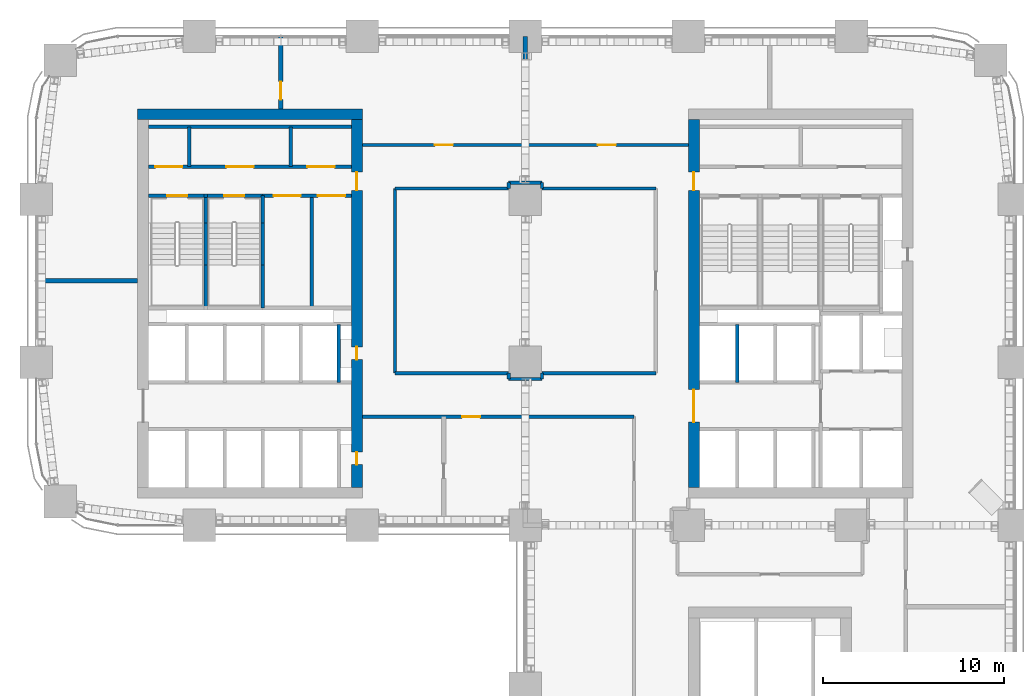
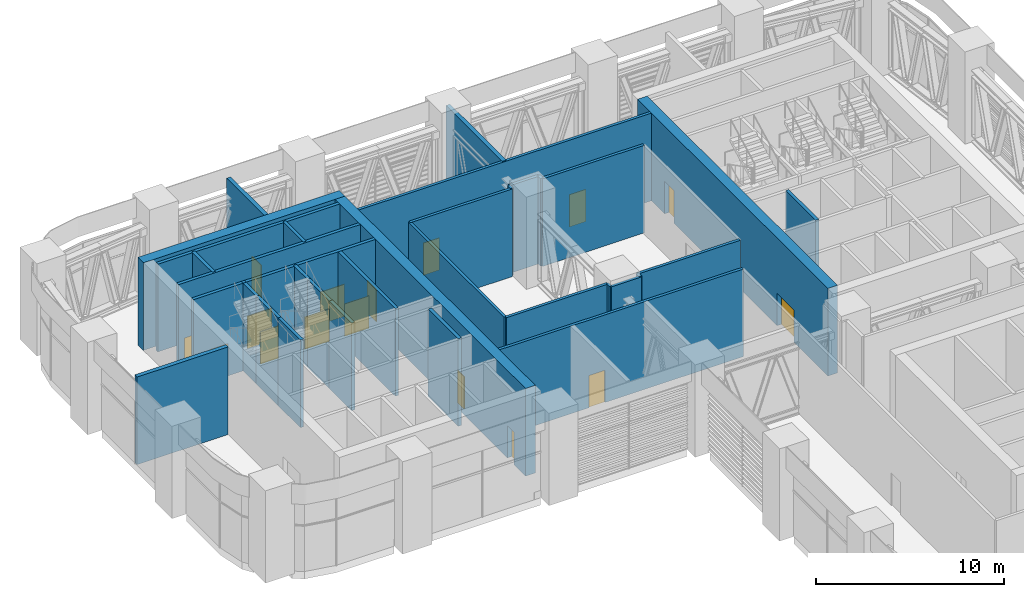
# One storey, part 17 of 24: 36 walls, 16 doors, 16 openings.
"""IFC4 building model written with IfcOpenShell, lengths in metres."""

from ifc_helpers import new_model, si_unit, direction, frame, frame_2d, origin, place, context, subcontext, project, spatial, rectangle, extrude, material, layer, layer_set, type_object, element, fill, save


model = new_model("IFC4")

# Units and contexts
model_context = context("Model", 3, precision=1e-05, world=origin(), true_north=direction((0.0, 1.0)))
body_context = subcontext(model_context, "Body", "Model", "MODEL_VIEW")
ifc_project = project(units=[si_unit("LENGTHUNIT", "METRE"), si_unit("AREAUNIT", "SQUARE_METRE"), si_unit("VOLUMEUNIT", "CUBIC_METRE"), si_unit("PLANEANGLEUNIT", "RADIAN"), si_unit("MASSUNIT", "GRAM", prefix="KILO")], contexts=[model_context])

# Site, building, storey
site_placement = place(None, origin())
site = spatial("IfcSite", under=ifc_project, at=site_placement, CompositionType="ELEMENT")
building_placement = place(site_placement, origin())
building = spatial("IfcBuilding", under=site, at=building_placement, Name="Tessera Arch", CompositionType="ELEMENT")
storey_placement = place(building_placement, frame((0.0, 0.0, 123.39990234375)))
storey = spatial("IfcBuildingStorey", under=building, at=storey_placement, Name="L29", CompositionType="ELEMENT", Elevation=123.39990234375)

# Walls
ifc_material_1 = material(Name="Gypsum board on steel stud", Category="steel")
ifc_layer_1 = layer(ifc_material_1, 0.125)
ifc_layer_set_1 = layer_set([ifc_layer_1], Name="Core partition 125 EI 60")
wall_type_1 = type_object("IfcWallType", Name="Core partition 125 EI 60", PredefinedType="PARTITIONING", material=ifc_layer_set_1)
for number, where, z_axis, x_axis, name in (
    (1, (8.43994140625, 46.800048828125, 0.0), (0.0, 0.0, 1.0), (0.0, 1.0, 0.0), "L29 C2 partition wall 3"),
    (2, (14.0400390625, 46.800048828125, 0.0), (0.0, 0.0, 1.0), (0.0, 1.0, 0.0), "L29 C2 partition wall 14"),
):
    element("IfcWall", number, at=place(storey_placement, frame(where, z_axis=z_axis, x_axis=x_axis)), inside=storey, type_object=wall_type_1, Name=name, PredefinedType="PARTITIONING", context=body_context, shape_type="SweptSolid", body=[
        extrude(rectangle(XDim=2.199951171875, YDim=0.199951171875, at=frame_2d((1.10009765625, 0.0))), origin(), (0.0, 0.0, 1.0), 5.7001953125),
    ])
wall_1_placement = place(storey_placement, frame((15.195068359375, 39.0, 0.0), z_axis=(0.0, 0.0, 1.0), x_axis=(0.0, 1.0, 0.0)))
element("IfcWall", 3, at=wall_1_placement, inside=storey, type_object=wall_type_1, Name="L29 C2 partition wall 17", PredefinedType="PARTITIONING", context=body_context, shape_type="SweptSolid", body=[
    extrude(rectangle(XDim=6.199951171875, YDim=0.199951171875, at=frame_2d((3.10009765625, 0.0))), origin(), (0.0, 0.0, 1.0), 5.7001953125),
])

# Wall, openings, doors
wall_2_placement = place(storey_placement, frame((12.5, 45.199951171875, 0.0), z_axis=(0.0, 0.0, 1.0), x_axis=(1.0, 0.0, 0.0)))
wall_2 = element("IfcWall", 4, at=wall_2_placement, inside=storey, type_object=wall_type_1, Name="L29 C2 partition wall 27", PredefinedType="PARTITIONING", context=body_context, shape_type="SweptSolid", body=[
    extrude(rectangle(XDim=4.89990234375, YDim=0.199951171875, at=frame_2d((2.449951171875, 0.0))), origin(), (0.0, 0.0, 1.0), 5.7001953125),
])
opening_1_placement = place(wall_2_placement, frame((0.597412109375, 0.0, 0.0)))
opening_1 = element("IfcOpeningElement", 5, at=opening_1_placement, cuts=wall_2, Name="Opening L29-C23", PredefinedType="OPENING", context=body_context, shape_type="SweptSolid", body=[
    extrude(rectangle(XDim=1.5, YDim=2.10009765625, at=frame_2d((0.75, 1.050048828125))), frame((0.0, 0.10986328125, 0.0), z_axis=(0.0, -1.0, 0.0), x_axis=(1.0, 0.0, 0.0)), (0.0, 0.0, 1.0), 0.219970703125),
])
opening_2_placement = place(wall_2_placement, frame((3.047607421875, 0.0, 0.0)))
opening_2 = element("IfcOpeningElement", 6, at=opening_2_placement, cuts=wall_2, Name="Opening L29-C24", PredefinedType="OPENING", context=body_context, shape_type="SweptSolid", body=[
    extrude(rectangle(XDim=1.5, YDim=2.10009765625, at=frame_2d((0.75, 1.050048828125))), frame((0.0, 0.10986328125, 0.0), z_axis=(0.0, -1.0, 0.0), x_axis=(1.0, 0.0, 0.0)), (0.0, 0.0, 1.0), 0.219970703125),
])
ifc_material_2 = material(Name="Steel door leaf", Category="steel")
door_type_1 = type_object("IfcDoorType", Name="Plant door FD60 1500 x 2100", OperationType="DOUBLE_DOOR_SINGLE_SWING", PredefinedType="DOOR", material=ifc_material_2)
door_1_placement = place(opening_1_placement, origin())
door_1 = element("IfcDoor", 7, at=door_1_placement, inside=storey, type_object=door_type_1, Name="L29 C2 door 10 C23 type D08", OperationType="DOUBLE_DOOR_SINGLE_SWING", OverallHeight=2.10009765625, OverallWidth=1.5, PredefinedType="DOOR", context=body_context, shape_type="SweptSolid", body=[
    extrude(rectangle(XDim=1.5, YDim=2.10009765625, at=frame_2d((0.75, 1.050048828125))), frame((0.0, 0.02490234375, 0.0), z_axis=(0.0, -1.0, 0.0), x_axis=(1.0, 0.0, 0.0)), (0.0, 0.0, 1.0), 0.050048828125),
])
fill(opening_1, door_1)
door_2_placement = place(opening_2_placement, origin())
door_2 = element("IfcDoor", 8, at=door_2_placement, inside=storey, type_object=door_type_1, Name="L29 C2 door 11 C24 type D08", OperationType="DOUBLE_DOOR_SINGLE_SWING", OverallHeight=2.10009765625, OverallWidth=1.5, PredefinedType="DOOR", context=body_context, shape_type="SweptSolid", body=[
    extrude(rectangle(XDim=1.5, YDim=2.10009765625, at=frame_2d((0.75, 1.050048828125))), frame((0.0, 0.02490234375, 0.0), z_axis=(0.0, -1.0, 0.0), x_axis=(1.0, 0.0, 0.0)), (0.0, 0.0, 1.0), 0.050048828125),
])
fill(opening_2, door_2)

wall_3_placement = place(storey_placement, frame((6.199951171875, 46.800048828125, 0.0), z_axis=(0.0, 0.0, 1.0), x_axis=(1.0, 0.0, 0.0)))
wall_3 = element("IfcWall", 9, at=wall_3_placement, inside=storey, type_object=wall_type_1, Name="L29 C2 partition wall 31", PredefinedType="PARTITIONING", context=body_context, shape_type="SweptSolid", body=[
    extrude(rectangle(XDim=11.199951171875, YDim=0.199951171875, at=frame_2d((5.60009765625, 0.0))), origin(), (0.0, 0.0, 1.0), 5.7001953125),
])
opening_3_placement = place(wall_3_placement, frame((0.3701171875, 0.0, 0.0)))
opening_3 = element("IfcOpeningElement", 10, at=opening_3_placement, cuts=wall_3, Name="Opening L29-C20", PredefinedType="OPENING", context=body_context, shape_type="SweptSolid", body=[
    extrude(rectangle(XDim=1.5, YDim=2.10009765625, at=frame_2d((0.75, 1.050048828125))), frame((0.0, 0.10986328125, 0.0), z_axis=(0.0, -1.0, 0.0), x_axis=(1.0, 0.0, 0.0)), (0.0, 0.0, 1.0), 0.219970703125),
])
opening_4_placement = place(wall_3_placement, frame((4.2900390625, 0.0, 0.0)))
opening_4 = element("IfcOpeningElement", 11, at=opening_4_placement, cuts=wall_3, Name="Opening L29-C21", PredefinedType="OPENING", context=body_context, shape_type="SweptSolid", body=[
    extrude(rectangle(XDim=1.5, YDim=2.10009765625, at=frame_2d((0.75, 1.050048828125))), frame((0.0, 0.10986328125, 0.0), z_axis=(0.0, -1.0, 0.0), x_axis=(1.0, 0.0, 0.0)), (0.0, 0.0, 1.0), 0.219970703125),
])
opening_5_placement = place(wall_3_placement, frame((8.77001953125, 0.0, 0.0)))
opening_5 = element("IfcOpeningElement", 12, at=opening_5_placement, cuts=wall_3, Name="Opening L29-C22", PredefinedType="OPENING", context=body_context, shape_type="SweptSolid", body=[
    extrude(rectangle(XDim=1.5, YDim=2.10009765625, at=frame_2d((0.75, 1.050048828125))), frame((0.0, 0.10986328125, 0.0), z_axis=(0.0, -1.0, 0.0), x_axis=(1.0, 0.0, 0.0)), (0.0, 0.0, 1.0), 0.219970703125),
])
door_3_placement = place(opening_3_placement, origin())
door_3 = element("IfcDoor", 13, at=door_3_placement, inside=storey, type_object=door_type_1, Name="L29 C2 door 7 C20 type D08", OperationType="DOUBLE_DOOR_SINGLE_SWING", OverallHeight=2.10009765625, OverallWidth=1.5, PredefinedType="DOOR", context=body_context, shape_type="SweptSolid", body=[
    extrude(rectangle(XDim=1.5, YDim=2.10009765625, at=frame_2d((0.75, 1.050048828125))), frame((0.0, 0.02490234375, 0.0), z_axis=(0.0, -1.0, 0.0), x_axis=(1.0, 0.0, 0.0)), (0.0, 0.0, 1.0), 0.050048828125),
])
fill(opening_3, door_3)
door_4_placement = place(opening_4_placement, origin())
door_4 = element("IfcDoor", 14, at=door_4_placement, inside=storey, type_object=door_type_1, Name="L29 C2 door 8 C21 type D08", OperationType="DOUBLE_DOOR_SINGLE_SWING", OverallHeight=2.10009765625, OverallWidth=1.5, PredefinedType="DOOR", context=body_context, shape_type="SweptSolid", body=[
    extrude(rectangle(XDim=1.5, YDim=2.10009765625, at=frame_2d((0.75, 1.050048828125))), frame((0.0, 0.02490234375, 0.0), z_axis=(0.0, -1.0, 0.0), x_axis=(1.0, 0.0, 0.0)), (0.0, 0.0, 1.0), 0.050048828125),
])
fill(opening_4, door_4)
door_5_placement = place(opening_5_placement, origin())
door_5 = element("IfcDoor", 15, at=door_5_placement, inside=storey, type_object=door_type_1, Name="L29 C2 door 9 C22 type D08", OperationType="DOUBLE_DOOR_SINGLE_SWING", OverallHeight=2.10009765625, OverallWidth=1.5, PredefinedType="DOOR", context=body_context, shape_type="SweptSolid", body=[
    extrude(rectangle(XDim=1.5, YDim=2.10009765625, at=frame_2d((0.75, 1.050048828125))), frame((0.0, 0.02490234375, 0.0), z_axis=(0.0, -1.0, 0.0), x_axis=(1.0, 0.0, 0.0)), (0.0, 0.0, 1.0), 0.050048828125),
])
fill(opening_5, door_5)

# Wall
wall_4_placement = place(storey_placement, frame((6.199951171875, 49.0, 0.0), z_axis=(0.0, 0.0, 1.0), x_axis=(1.0, 0.0, 0.0)))
element("IfcWall", 16, at=wall_4_placement, inside=storey, type_object=wall_type_1, Name="L29 C2 partition wall 32", PredefinedType="PARTITIONING", context=body_context, shape_type="SweptSolid", body=[
    extrude(rectangle(XDim=11.199951171875, YDim=0.199951171875, at=frame_2d((5.60009765625, 0.0))), origin(), (0.0, 0.0, 1.0), 5.7001953125),
])

# Wall, openings, doors
ifc_material_3 = material(Name="Concrete C70/85", Category="concrete")
ifc_layer_2 = layer(ifc_material_3, 0.60009765625)
ifc_layer_set_2 = layer_set([ifc_layer_2], Name="Core shell wall 600 C70-85")
wall_type_2 = type_object("IfcWallType", Name="Core shell wall 600 C70-85", PredefinedType="SHEAR", material=ifc_layer_set_2)
wall_5_placement = place(storey_placement, frame((36.300048828125, 29.10009765625, 0.0), z_axis=(0.0, 0.0, 1.0), x_axis=(0.0, 1.0, 0.0)))
wall_5 = element("IfcWall", 17, at=wall_5_placement, inside=storey, type_object=wall_type_2, Name="L29 C1 core wall W", PredefinedType="SHEAR", context=body_context, shape_type="SweptSolid", body=[
    extrude(rectangle(XDim=20.2998046875, YDim=0.60009765625, at=frame_2d((10.14990234375, 0.0))), origin(), (0.0, 0.0, 1.0), 5.7001953125),
])
opening_6_placement = place(wall_5_placement, frame((3.60009765625, 0.0, 0.0)))
opening_6 = element("IfcOpeningElement", 18, at=opening_6_placement, cuts=wall_5, Name="Opening L29-C04", PredefinedType="OPENING", context=body_context, shape_type="SweptSolid", body=[
    extrude(rectangle(XDim=1.800048828125, YDim=2.10009765625, at=frame_2d((0.89990234375, 1.050048828125))), frame((0.0, 0.31005859375, 0.0), z_axis=(0.0, -1.0, 0.0), x_axis=(1.0, 0.0, 0.0)), (0.0, 0.0, 1.0), 0.6201171875),
])
opening_7_placement = place(wall_5_placement, frame((16.39990234375, 0.0, 0.0)))
opening_7 = element("IfcOpeningElement", 19, at=opening_7_placement, cuts=wall_5, Name="Opening L29-C11", PredefinedType="OPENING", context=body_context, shape_type="SweptSolid", body=[
    extrude(rectangle(XDim=1.0, YDim=2.10009765625, at=frame_2d((0.5, 1.050048828125))), frame((0.0, 0.31005859375, 0.0), z_axis=(0.0, -1.0, 0.0), x_axis=(1.0, 0.0, 0.0)), (0.0, 0.0, 1.0), 0.6201171875),
])
ifc_material_4 = material(Name="Steel door leaf", Category="steel")
door_type_2 = type_object("IfcDoorType", Name="Corridor door FD60 1000 x 2100", OperationType="SINGLE_SWING_LEFT", PredefinedType="DOOR", material=ifc_material_4)
door_6_placement = place(opening_7_placement, origin())
door_6 = element("IfcDoor", 20, at=door_6_placement, inside=storey, type_object=door_type_2, Name="L29 C1 door 11 C11 type D12", OperationType="SINGLE_SWING_RIGHT", OverallHeight=2.10009765625, OverallWidth=1.0, PredefinedType="DOOR", context=body_context, shape_type="SweptSolid", body=[
    extrude(rectangle(XDim=1.0, YDim=2.10009765625, at=frame_2d((0.5, 1.050048828125))), frame((0.0, 0.02490234375, 0.0), z_axis=(0.0, -1.0, 0.0), x_axis=(1.0, 0.0, 0.0)), (0.0, 0.0, 1.0), 0.050048828125),
])
fill(opening_7, door_6)
ifc_material_5 = material(Name="Glazed steel door leaf", Category="steel")
door_type_3 = type_object("IfcDoorType", Name="Lobby double door FD60 1800 x 2100", OperationType="DOUBLE_DOOR_SINGLE_SWING", PredefinedType="DOOR", material=ifc_material_5)
door_7_placement = place(opening_6_placement, origin())
door_7 = element("IfcDoor", 21, at=door_7_placement, inside=storey, type_object=door_type_3, Name="L29 C1 door 4 C04 type D19", OperationType="DOUBLE_DOOR_SINGLE_SWING", OverallHeight=2.10009765625, OverallWidth=1.800048828125, PredefinedType="DOOR", context=body_context, shape_type="SweptSolid", body=[
    extrude(rectangle(XDim=1.800048828125, YDim=2.10009765625, at=frame_2d((0.89990234375, 1.050048828125))), frame((0.0, 0.02490234375, 0.0), z_axis=(0.0, -1.0, 0.0), x_axis=(1.0, 0.0, 0.0)), (0.0, 0.0, 1.0), 0.050048828125),
])
fill(opening_6, door_7)

# Wall
wall_6_placement = place(storey_placement, frame((5.60009765625, 49.699951171875, 0.0), z_axis=(0.0, 0.0, 1.0), x_axis=(1.0, 0.0, 0.0)))
element("IfcWall", 22, at=wall_6_placement, inside=storey, type_object=wall_type_2, Name="L29 C2 core wall N", PredefinedType="SHEAR", context=body_context, shape_type="SweptSolid", body=[
    extrude(rectangle(XDim=12.39990234375, YDim=0.60009765625, at=frame_2d((6.199951171875, 0.0))), origin(), (0.0, 0.0, 1.0), 5.7001953125),
])

# Wall, openings, doors
wall_7_placement = place(storey_placement, frame((17.699951171875, 29.10009765625, 0.0), z_axis=(0.0, 0.0, 1.0), x_axis=(0.0, 1.0, 0.0)))
wall_7 = element("IfcWall", 23, at=wall_7_placement, inside=storey, type_object=wall_type_2, Name="L29 C2 core wall E", PredefinedType="SHEAR", context=body_context, shape_type="SweptSolid", body=[
    extrude(rectangle(XDim=20.2998046875, YDim=0.60009765625, at=frame_2d((10.14990234375, 0.0))), origin(), (0.0, 0.0, 1.0), 5.7001953125),
])
opening_8_placement = place(wall_7_placement, frame((1.25, 0.0, 0.0)))
opening_8 = element("IfcOpeningElement", 24, at=opening_8_placement, cuts=wall_7, Name="Opening L29-C14", PredefinedType="OPENING", context=body_context, shape_type="SweptSolid", body=[
    extrude(rectangle(XDim=0.699951171875, YDim=2.10009765625, at=frame_2d((0.35009765625, 1.050048828125))), frame((0.0, 0.31005859375, 0.0), z_axis=(0.0, -1.0, 0.0), x_axis=(1.0, 0.0, 0.0)), (0.0, 0.0, 1.0), 0.6201171875),
])
opening_9_placement = place(wall_7_placement, frame((7.050048828125, 0.0, 0.0)))
opening_9 = element("IfcOpeningElement", 25, at=opening_9_placement, cuts=wall_7, Name="Opening L29-C15", PredefinedType="OPENING", context=body_context, shape_type="SweptSolid", body=[
    extrude(rectangle(XDim=0.699951171875, YDim=2.10009765625, at=frame_2d((0.35009765625, 1.050048828125))), frame((0.0, 0.31005859375, 0.0), z_axis=(0.0, -1.0, 0.0), x_axis=(1.0, 0.0, 0.0)), (0.0, 0.0, 1.0), 0.6201171875),
])
opening_10_placement = place(wall_7_placement, frame((16.39990234375, 0.0, 0.0)))
opening_10 = element("IfcOpeningElement", 26, at=opening_10_placement, cuts=wall_7, Name="Opening L29-C19", PredefinedType="OPENING", context=body_context, shape_type="SweptSolid", body=[
    extrude(rectangle(XDim=1.0, YDim=2.10009765625, at=frame_2d((0.5, 1.050048828125))), frame((0.0, 0.31005859375, 0.0), z_axis=(0.0, -1.0, 0.0), x_axis=(1.0, 0.0, 0.0)), (0.0, 0.0, 1.0), 0.6201171875),
])
door_8_placement = place(opening_10_placement, origin())
door_8 = element("IfcDoor", 27, at=door_8_placement, inside=storey, type_object=door_type_2, Name="L29 C2 door 6 C19 type D12", OperationType="SINGLE_SWING_RIGHT", OverallHeight=2.10009765625, OverallWidth=1.0, PredefinedType="DOOR", context=body_context, shape_type="SweptSolid", body=[
    extrude(rectangle(XDim=1.0, YDim=2.10009765625, at=frame_2d((0.5, 1.050048828125))), frame((0.0, 0.02490234375, 0.0), z_axis=(0.0, -1.0, 0.0), x_axis=(1.0, 0.0, 0.0)), (0.0, 0.0, 1.0), 0.050048828125),
])
fill(opening_10, door_8)
ifc_material_6 = material(Name="Steel door leaf", Category="steel")
door_type_4 = type_object("IfcDoorType", Name="Service shaft door FD60 700 x 2100", OperationType="SINGLE_SWING_LEFT", PredefinedType="DOOR", material=ifc_material_6)
door_9_placement = place(opening_8_placement, origin())
door_9 = element("IfcDoor", 28, at=door_9_placement, inside=storey, type_object=door_type_4, Name="L29 C2 door 1 C14 type D07", OperationType="SINGLE_SWING_LEFT", OverallHeight=2.10009765625, OverallWidth=0.699951171875, PredefinedType="DOOR", context=body_context, shape_type="SweptSolid", body=[
    extrude(rectangle(XDim=0.699951171875, YDim=2.10009765625, at=frame_2d((0.35009765625, 1.050048828125))), frame((0.0, 0.02490234375, 0.0), z_axis=(0.0, -1.0, 0.0), x_axis=(1.0, 0.0, 0.0)), (0.0, 0.0, 1.0), 0.050048828125),
])
fill(opening_8, door_9)
door_10_placement = place(opening_9_placement, origin())
door_10 = element("IfcDoor", 29, at=door_10_placement, inside=storey, type_object=door_type_4, Name="L29 C2 door 2 C15 type D07", OperationType="SINGLE_SWING_LEFT", OverallHeight=2.10009765625, OverallWidth=0.699951171875, PredefinedType="DOOR", context=body_context, shape_type="SweptSolid", body=[
    extrude(rectangle(XDim=0.699951171875, YDim=2.10009765625, at=frame_2d((0.35009765625, 1.050048828125))), frame((0.0, 0.02490234375, 0.0), z_axis=(0.0, -1.0, 0.0), x_axis=(1.0, 0.0, 0.0)), (0.0, 0.0, 1.0), 0.050048828125),
])
fill(opening_9, door_10)

# Wall, opening, door
ifc_material_7 = material(Name="Gypsum board on deep steel stud with mineral wool", Category="steel")
ifc_layer_3 = layer(ifc_material_7, 0.175048828125)
ifc_layer_set_3 = layer_set([ifc_layer_3], Name="Corridor wall 175 EI 60")
wall_type_3 = type_object("IfcWallType", Name="Corridor wall 175 EI 60", PredefinedType="PARTITIONING", material=ifc_layer_set_3)
wall_8_placement = place(storey_placement, frame((18.0, 33.0, 0.0), z_axis=(0.0, 0.0, 1.0), x_axis=(1.0, 0.0, 0.0)))
wall_8 = element("IfcWall", 30, at=wall_8_placement, inside=storey, type_object=wall_type_3, Name="L29 partition 6", PredefinedType="PARTITIONING", context=body_context, shape_type="SweptSolid", body=[
    extrude(rectangle(XDim=15.0, YDim=0.175048828125, at=frame_2d((7.5, 0.0))), origin(), (0.0, 0.0, 1.0), 5.7001953125),
])
opening_11_placement = place(wall_8_placement, frame((5.5, 0.0, 0.0)))
opening_11 = element("IfcOpeningElement", 31, at=opening_11_placement, cuts=wall_8, Name="Opening L29-D002", PredefinedType="OPENING", context=body_context, shape_type="SweptSolid", body=[
    extrude(rectangle(XDim=1.0, YDim=2.10009765625, at=frame_2d((0.5, 1.050048828125))), frame((0.0, 0.097412109375, 0.0), z_axis=(0.0, -1.0, 0.0), x_axis=(1.0, 0.0, 0.0)), (0.0, 0.0, 1.0), 0.195068359375),
])
ifc_material_8 = material(Name="Fire-rated door leaf")
door_type_5 = type_object("IfcDoorType", Name="Entrance door FD60 1000 x 2100", OperationType="SINGLE_SWING_LEFT", PredefinedType="DOOR", material=ifc_material_8)
door_11_placement = place(opening_11_placement, origin())
door_11 = element("IfcDoor", 32, at=door_11_placement, inside=storey, type_object=door_type_5, Name="L29 door D002 type D16", OperationType="SINGLE_SWING_LEFT", OverallHeight=2.10009765625, OverallWidth=1.0, PredefinedType="DOOR", context=body_context, shape_type="SweptSolid", body=[
    extrude(rectangle(XDim=1.0, YDim=2.10009765625, at=frame_2d((0.5, 1.050048828125))), frame((0.0, 0.02490234375, 0.0), z_axis=(0.0, -1.0, 0.0), x_axis=(1.0, 0.0, 0.0)), (0.0, 0.0, 1.0), 0.050048828125),
])
fill(opening_11, door_11)

# Walls
wall_9_placement = place(storey_placement, frame((26.080078125, 35.080078125, 0.0), z_axis=(0.0, 0.0, 1.0), x_axis=(1.0, 0.0, 0.0)))
element("IfcWall", 33, at=wall_9_placement, inside=storey, type_object=wall_type_3, Name="L29 partition 7", PredefinedType="PARTITIONING", context=body_context, shape_type="SweptSolid", body=[
    extrude(rectangle(XDim=1.83984375, YDim=0.175048828125, at=frame_2d((0.919921875, 0.0))), origin(), (0.0, 0.0, 1.0), 5.7001953125),
])
for number, where, z_axis, x_axis, name in (
    (34, (19.800048828125, 35.39990234375, 0.0), (0.0, 0.0, 1.0), (1.0, 0.0, 0.0), "L29 partition 8"),
    (35, (27.919921875, 35.39990234375, 0.0), (0.0, 0.0, 1.0), (1.0, 0.0, 0.0), "L29 partition 9"),
    (36, (19.800048828125, 45.60009765625, 0.0), (0.0, 0.0, 1.0), (1.0, 0.0, 0.0), "L29 partition 10"),
    (37, (27.919921875, 45.60009765625, 0.0), (0.0, 0.0, 1.0), (1.0, 0.0, 0.0), "L29 partition 11"),
):
    element("IfcWall", number, at=place(storey_placement, frame(where, z_axis=z_axis, x_axis=x_axis)), inside=storey, type_object=wall_type_3, Name=name, PredefinedType="PARTITIONING", context=body_context, shape_type="SweptSolid", body=[
        extrude(rectangle(XDim=6.280029296875, YDim=0.175048828125, at=frame_2d((3.14013671875, 0.0))), origin(), (0.0, 0.0, 1.0), 5.7001953125),
    ])
wall_10_placement = place(storey_placement, frame((26.080078125, 45.919921875, 0.0), z_axis=(0.0, 0.0, 1.0), x_axis=(1.0, 0.0, 0.0)))
element("IfcWall", 38, at=wall_10_placement, inside=storey, type_object=wall_type_3, Name="L29 partition 12", PredefinedType="PARTITIONING", context=body_context, shape_type="SweptSolid", body=[
    extrude(rectangle(XDim=1.83984375, YDim=0.175048828125, at=frame_2d((0.919921875, 0.0))), origin(), (0.0, 0.0, 1.0), 5.7001953125),
])

# Wall, openings, doors
wall_11_placement = place(storey_placement, frame((18.0, 48.0, 0.0), z_axis=(0.0, 0.0, 1.0), x_axis=(1.0, 0.0, 0.0)))
wall_11 = element("IfcWall", 39, at=wall_11_placement, inside=storey, type_object=wall_type_3, Name="L29 partition 13", PredefinedType="PARTITIONING", context=body_context, shape_type="SweptSolid", body=[
    extrude(rectangle(XDim=18.0, YDim=0.175048828125, at=frame_2d((9.0, 0.0))), origin(), (0.0, 0.0, 1.0), 5.7001953125),
])
opening_12_placement = place(wall_11_placement, frame((4.0, 0.0, 0.0)))
opening_12 = element("IfcOpeningElement", 40, at=opening_12_placement, cuts=wall_11, Name="Opening L29-D001", PredefinedType="OPENING", context=body_context, shape_type="SweptSolid", body=[
    extrude(rectangle(XDim=1.0, YDim=2.10009765625, at=frame_2d((0.5, 1.050048828125))), frame((0.0, 0.097412109375, 0.0), z_axis=(0.0, -1.0, 0.0), x_axis=(1.0, 0.0, 0.0)), (0.0, 0.0, 1.0), 0.195068359375),
])
opening_13_placement = place(wall_11_placement, frame((13.0, 0.0, 0.0)))
opening_13 = element("IfcOpeningElement", 41, at=opening_13_placement, cuts=wall_11, Name="Opening L29-D005", PredefinedType="OPENING", context=body_context, shape_type="SweptSolid", body=[
    extrude(rectangle(XDim=1.0, YDim=2.10009765625, at=frame_2d((0.5, 1.050048828125))), frame((0.0, 0.097412109375, 0.0), z_axis=(0.0, -1.0, 0.0), x_axis=(1.0, 0.0, 0.0)), (0.0, 0.0, 1.0), 0.195068359375),
])
door_12_placement = place(opening_12_placement, origin())
door_12 = element("IfcDoor", 42, at=door_12_placement, inside=storey, type_object=door_type_5, Name="L29 door D001 type D16", OperationType="SINGLE_SWING_RIGHT", OverallHeight=2.10009765625, OverallWidth=1.0, PredefinedType="DOOR", context=body_context, shape_type="SweptSolid", body=[
    extrude(rectangle(XDim=1.0, YDim=2.10009765625, at=frame_2d((0.5, 1.050048828125))), frame((0.0, 0.02490234375, 0.0), z_axis=(0.0, -1.0, 0.0), x_axis=(1.0, 0.0, 0.0)), (0.0, 0.0, 1.0), 0.050048828125),
])
fill(opening_12, door_12)
door_13_placement = place(opening_13_placement, origin())
door_13 = element("IfcDoor", 43, at=door_13_placement, inside=storey, type_object=door_type_5, Name="L29 door D005 type D16", OperationType="SINGLE_SWING_RIGHT", OverallHeight=2.10009765625, OverallWidth=1.0, PredefinedType="DOOR", context=body_context, shape_type="SweptSolid", body=[
    extrude(rectangle(XDim=1.0, YDim=2.10009765625, at=frame_2d((0.5, 1.050048828125))), frame((0.0, 0.02490234375, 0.0), z_axis=(0.0, -1.0, 0.0), x_axis=(1.0, 0.0, 0.0)), (0.0, 0.0, 1.0), 0.050048828125),
])
fill(opening_13, door_13)

# Walls
wall_12_placement = place(storey_placement, frame((19.800048828125, 35.39990234375, 0.0), z_axis=(0.0, 0.0, 1.0), x_axis=(0.0, 1.0, 0.0)))
element("IfcWall", 44, at=wall_12_placement, inside=storey, type_object=wall_type_3, Name="L29 partition 14", PredefinedType="PARTITIONING", context=body_context, shape_type="SweptSolid", body=[
    extrude(rectangle(XDim=10.2001953125, YDim=0.175048828125, at=frame_2d((5.10009765625, 0.0))), origin(), (0.0, 0.0, 1.0), 5.7001953125),
])
for number, where, z_axis, x_axis, name in (
    (45, (26.080078125, 35.080078125, 0.0), (0.0, 0.0, 1.0), (0.0, 1.0, 0.0), "L29 partition 15"),
    (46, (26.080078125, 45.60009765625, 0.0), (0.0, 0.0, 1.0), (0.0, 1.0, 0.0), "L29 partition 16"),
    (47, (27.919921875, 35.080078125, 0.0), (0.0, 0.0, 1.0), (0.0, 1.0, 0.0), "L29 partition 17"),
    (48, (27.919921875, 45.60009765625, 0.0), (0.0, 0.0, 1.0), (0.0, 1.0, 0.0), "L29 partition 18"),
):
    element("IfcWall", number, at=place(storey_placement, frame(where, z_axis=z_axis, x_axis=x_axis)), inside=storey, type_object=wall_type_3, Name=name, PredefinedType="PARTITIONING", context=body_context, shape_type="SweptSolid", body=[
        extrude(rectangle(XDim=0.31982421875, YDim=0.175048828125, at=frame_2d((0.159912109375, 0.0))), origin(), (0.0, 0.0, 1.0), 5.7001953125),
    ])
ifc_material_9 = material(Name="Double gypsum board on twin steel stud with acoustic mineral wool", Category="steel")
ifc_layer_4 = layer(ifc_material_9, 0.25)
ifc_layer_set_4 = layer_set([ifc_layer_4], Name="Party wall 250 EI 60")
wall_type_4 = type_object("IfcWallType", Name="Party wall 250 EI 60", PredefinedType="PARTITIONING", material=ifc_layer_set_4)
wall_13_placement = place(storey_placement, frame((0.0, 40.5, 0.0), z_axis=(0.0, 0.0, 1.0), x_axis=(1.0, 0.0, 0.0)))
element("IfcWall", 49, at=wall_13_placement, inside=storey, type_object=wall_type_4, Name="L29 partition 30", PredefinedType="PARTITIONING", context=body_context, shape_type="SweptSolid", body=[
    extrude(rectangle(XDim=5.60009765625, YDim=0.25, at=frame_2d((2.800048828125, 0.0))), origin(), (0.0, 0.0, 1.0), 5.7001953125),
])

# Wall, opening, door
wall_14_placement = place(storey_placement, frame((13.5, 50.0, 0.0), z_axis=(0.0, 0.0, 1.0), x_axis=(0.0, 1.0, 0.0)))
wall_14 = element("IfcWall", 50, at=wall_14_placement, inside=storey, type_object=wall_type_4, Name="L29 partition 31", PredefinedType="PARTITIONING", context=body_context, shape_type="SweptSolid", body=[
    extrude(rectangle(XDim=4.0, YDim=0.25, at=frame_2d((2.0, 0.0))), origin(), (0.0, 0.0, 1.0), 5.7001953125),
])
opening_14_placement = place(wall_14_placement, frame((0.5, 0.0, 0.0)))
opening_14 = element("IfcOpeningElement", 51, at=opening_14_placement, cuts=wall_14, Name="Opening L29-D011", PredefinedType="OPENING", context=body_context, shape_type="SweptSolid", body=[
    extrude(rectangle(XDim=1.0, YDim=2.10009765625, at=frame_2d((0.5, 1.050048828125))), frame((0.0, 0.135009765625, 0.0), z_axis=(0.0, -1.0, 0.0), x_axis=(1.0, 0.0, 0.0)), (0.0, 0.0, 1.0), 0.27001953125),
])
door_14_placement = place(opening_14_placement, origin())
door_14 = element("IfcDoor", 52, at=door_14_placement, inside=storey, type_object=door_type_5, Name="L29 door D011 type D16", OperationType="SINGLE_SWING_RIGHT", OverallHeight=2.10009765625, OverallWidth=1.0, PredefinedType="DOOR", context=body_context, shape_type="SweptSolid", body=[
    extrude(rectangle(XDim=1.0, YDim=2.10009765625, at=frame_2d((0.5, 1.050048828125))), frame((0.0, 0.02490234375, 0.0), z_axis=(0.0, -1.0, 0.0), x_axis=(1.0, 0.0, 0.0)), (0.0, 0.0, 1.0), 0.050048828125),
])
fill(opening_14, door_14)

# Walls
wall_15_placement = place(storey_placement, frame((27.0, 48.0, 0.0), z_axis=(0.0, 0.0, 1.0), x_axis=(0.0, 1.0, 0.0)))
element("IfcWall", 53, at=wall_15_placement, inside=storey, type_object=wall_type_4, Name="L29 partition 34", PredefinedType="PARTITIONING", context=body_context, shape_type="SweptSolid", body=[
    extrude(rectangle(XDim=6.0, YDim=0.25, at=frame_2d((3.0, 0.0))), origin(), (0.0, 0.0, 1.0), 5.7001953125),
])
ifc_material_10 = material(Name="Concrete C40/50", Category="concrete")
ifc_layer_5 = layer(ifc_material_10, 0.199951171875)
ifc_layer_set_5 = layer_set([ifc_layer_5], Name="Shaft wall 200 EI 120")
wall_type_5 = type_object("IfcWallType", Name="Shaft wall 200 EI 120", PredefinedType="SOLIDWALL", material=ifc_layer_set_5)
for number, where, z_axis, x_axis, name in (
    (54, (38.699951171875, 34.89990234375, 0.0), (0.0, 0.0, 1.0), (0.0, 1.0, 0.0), "L29 C1 shaft wall 2"),
    (55, (16.699951171875, 34.89990234375, 0.0), (0.0, 0.0, 1.0), (0.0, 1.0, 0.0), "L29 C2 shaft wall 19"),
):
    element("IfcWall", number, at=place(storey_placement, frame(where, z_axis=z_axis, x_axis=x_axis)), inside=storey, type_object=wall_type_5, Name=name, PredefinedType="SOLIDWALL", context=body_context, shape_type="SweptSolid", body=[
        extrude(rectangle(XDim=3.2001953125, YDim=0.199951171875, at=frame_2d((1.60009765625, 0.0))), origin(), (0.0, 0.0, 1.0), 5.7001953125),
    ])
ifc_material_11 = material(Name="Concrete C40/50", Category="concrete")
ifc_layer_6 = layer(ifc_material_11, 0.199951171875)
ifc_layer_set_6 = layer_set([ifc_layer_6], Name="Stair well wall 200 REI 180")
wall_type_6 = type_object("IfcWallType", Name="Stair well wall 200 REI 180", PredefinedType="SOLIDWALL", material=ifc_layer_set_6)
wall_16_placement = place(storey_placement, frame((9.35009765625, 39.0, 0.0), z_axis=(0.0, 0.0, 1.0), x_axis=(0.0, 1.0, 0.0)))
element("IfcWall", 56, at=wall_16_placement, inside=storey, type_object=wall_type_6, Name="L29 C2 shaft wall 4", PredefinedType="SOLIDWALL", context=body_context, shape_type="SweptSolid", body=[
    extrude(rectangle(XDim=2.3798828125, YDim=0.199951171875, at=frame_2d((1.18994140625, 0.0))), origin(), (0.0, 0.0, 1.0), 5.7001953125),
])
wall_17_placement = place(storey_placement, frame((9.35009765625, 41.3798828125, 0.0), z_axis=(0.0, 0.0, 1.0), x_axis=(0.0, 1.0, 0.0)))
element("IfcWall", 57, at=wall_17_placement, inside=storey, type_object=wall_type_6, Name="L29 C2 shaft wall 5", PredefinedType="SOLIDWALL", context=body_context, shape_type="SweptSolid", body=[
    extrude(rectangle(XDim=2.320068359375, YDim=0.199951171875, at=frame_2d((1.16015625, 0.0))), origin(), (0.0, 0.0, 1.0), 5.7001953125),
])
wall_18_placement = place(storey_placement, frame((9.35009765625, 43.699951171875, 0.0), z_axis=(0.0, 0.0, 1.0), x_axis=(0.0, 1.0, 0.0)))
element("IfcWall", 58, at=wall_18_placement, inside=storey, type_object=wall_type_6, Name="L29 C2 shaft wall 6", PredefinedType="SOLIDWALL", context=body_context, shape_type="SweptSolid", body=[
    extrude(rectangle(XDim=1.5, YDim=0.199951171875, at=frame_2d((0.75, 0.0))), origin(), (0.0, 0.0, 1.0), 5.7001953125),
])
wall_19_placement = place(storey_placement, frame((12.5, 39.0, 0.0), z_axis=(0.0, 0.0, 1.0), x_axis=(0.0, 1.0, 0.0)))
element("IfcWall", 59, at=wall_19_placement, inside=storey, type_object=wall_type_6, Name="L29 C2 shaft wall 11", PredefinedType="SOLIDWALL", context=body_context, shape_type="SweptSolid", body=[
    extrude(rectangle(XDim=2.3798828125, YDim=0.199951171875, at=frame_2d((1.18994140625, 0.0))), origin(), (0.0, 0.0, 1.0), 5.7001953125),
])
wall_20_placement = place(storey_placement, frame((12.5, 41.3798828125, 0.0), z_axis=(0.0, 0.0, 1.0), x_axis=(0.0, 1.0, 0.0)))
element("IfcWall", 60, at=wall_20_placement, inside=storey, type_object=wall_type_6, Name="L29 C2 shaft wall 12", PredefinedType="SOLIDWALL", context=body_context, shape_type="SweptSolid", body=[
    extrude(rectangle(XDim=2.320068359375, YDim=0.199951171875, at=frame_2d((1.16015625, 0.0))), origin(), (0.0, 0.0, 1.0), 5.7001953125),
])
wall_21_placement = place(storey_placement, frame((12.5, 43.699951171875, 0.0), z_axis=(0.0, 0.0, 1.0), x_axis=(0.0, 1.0, 0.0)))
element("IfcWall", 61, at=wall_21_placement, inside=storey, type_object=wall_type_6, Name="L29 C2 shaft wall 13", PredefinedType="SOLIDWALL", context=body_context, shape_type="SweptSolid", body=[
    extrude(rectangle(XDim=1.5, YDim=0.199951171875, at=frame_2d((0.75, 0.0))), origin(), (0.0, 0.0, 1.0), 5.7001953125),
])

# Wall, opening, door
wall_22_placement = place(storey_placement, frame((6.199951171875, 45.199951171875, 0.0), z_axis=(0.0, 0.0, 1.0), x_axis=(1.0, 0.0, 0.0)))
wall_22 = element("IfcWall", 62, at=wall_22_placement, inside=storey, type_object=wall_type_6, Name="L29 C2 shaft wall 28", PredefinedType="SOLIDWALL", context=body_context, shape_type="SweptSolid", body=[
    extrude(rectangle(XDim=3.050048828125, YDim=0.199951171875, at=frame_2d((1.52490234375, 0.0))), origin(), (0.0, 0.0, 1.0), 5.7001953125),
])
opening_15_placement = place(wall_22_placement, frame((1.02490234375, 0.0, 0.0)))
opening_15 = element("IfcOpeningElement", 63, at=opening_15_placement, cuts=wall_22, Name="Opening L29-C17", PredefinedType="OPENING", context=body_context, shape_type="SweptSolid", body=[
    extrude(rectangle(XDim=1.10009765625, YDim=2.10009765625, at=frame_2d((0.550048828125, 1.050048828125))), frame((0.0, 0.10986328125, 0.0), z_axis=(0.0, -1.0, 0.0), x_axis=(1.0, 0.0, 0.0)), (0.0, 0.0, 1.0), 0.219970703125),
])
ifc_material_12 = material(Name="Steel door leaf", Category="steel")
door_type_6 = type_object("IfcDoorType", Name="Stair door FD60 1100 x 2100", OperationType="SINGLE_SWING_LEFT", PredefinedType="DOOR", material=ifc_material_12)
door_15_placement = place(opening_15_placement, origin())
door_15 = element("IfcDoor", 64, at=door_15_placement, inside=storey, type_object=door_type_6, Name="L29 C2 door 4 C17 type D05", OperationType="SINGLE_SWING_RIGHT", OverallHeight=2.10009765625, OverallWidth=1.10009765625, PredefinedType="DOOR", context=body_context, shape_type="SweptSolid", body=[
    extrude(rectangle(XDim=1.10009765625, YDim=2.10009765625, at=frame_2d((0.550048828125, 1.050048828125))), frame((0.0, 0.02490234375, 0.0), z_axis=(0.0, -1.0, 0.0), x_axis=(1.0, 0.0, 0.0)), (0.0, 0.0, 1.0), 0.050048828125),
])
fill(opening_15, door_15)

# Wall
wall_23_placement = place(storey_placement, frame((9.25, 45.199951171875, 0.0), z_axis=(0.0, 0.0, 1.0), x_axis=(1.0, 0.0, 0.0)))
element("IfcWall", 65, at=wall_23_placement, inside=storey, type_object=wall_type_6, Name="L29 C2 shaft wall 29", PredefinedType="SOLIDWALL", context=body_context, shape_type="SweptSolid", body=[
    extrude(rectangle(XDim=0.199951171875, YDim=0.199951171875, at=frame_2d((0.10009765625, 0.0))), origin(), (0.0, 0.0, 1.0), 5.7001953125),
])

# Wall, opening, door
wall_24_placement = place(storey_placement, frame((9.449951171875, 45.199951171875, 0.0), z_axis=(0.0, 0.0, 1.0), x_axis=(1.0, 0.0, 0.0)))
wall_24 = element("IfcWall", 66, at=wall_24_placement, inside=storey, type_object=wall_type_6, Name="L29 C2 shaft wall 30", PredefinedType="SOLIDWALL", context=body_context, shape_type="SweptSolid", body=[
    extrude(rectangle(XDim=3.050048828125, YDim=0.199951171875, at=frame_2d((1.52490234375, 0.0))), origin(), (0.0, 0.0, 1.0), 5.7001953125),
])
opening_16_placement = place(wall_24_placement, frame((0.925048828125, 0.0, 0.0)))
opening_16 = element("IfcOpeningElement", 67, at=opening_16_placement, cuts=wall_24, Name="Opening L29-C18", PredefinedType="OPENING", context=body_context, shape_type="SweptSolid", body=[
    extrude(rectangle(XDim=1.10009765625, YDim=2.10009765625, at=frame_2d((0.550048828125, 1.050048828125))), frame((0.0, 0.10986328125, 0.0), z_axis=(0.0, -1.0, 0.0), x_axis=(1.0, 0.0, 0.0)), (0.0, 0.0, 1.0), 0.219970703125),
])
door_16_placement = place(opening_16_placement, origin())
door_16 = element("IfcDoor", 68, at=door_16_placement, inside=storey, type_object=door_type_6, Name="L29 C2 door 5 C18 type D05", OperationType="SINGLE_SWING_LEFT", OverallHeight=2.10009765625, OverallWidth=1.10009765625, PredefinedType="DOOR", context=body_context, shape_type="SweptSolid", body=[
    extrude(rectangle(XDim=1.10009765625, YDim=2.10009765625, at=frame_2d((0.550048828125, 1.050048828125))), frame((0.0, 0.02490234375, 0.0), z_axis=(0.0, -1.0, 0.0), x_axis=(1.0, 0.0, 0.0)), (0.0, 0.0, 1.0), 0.050048828125),
])
fill(opening_16, door_16)

save(model, "model.ifc")
